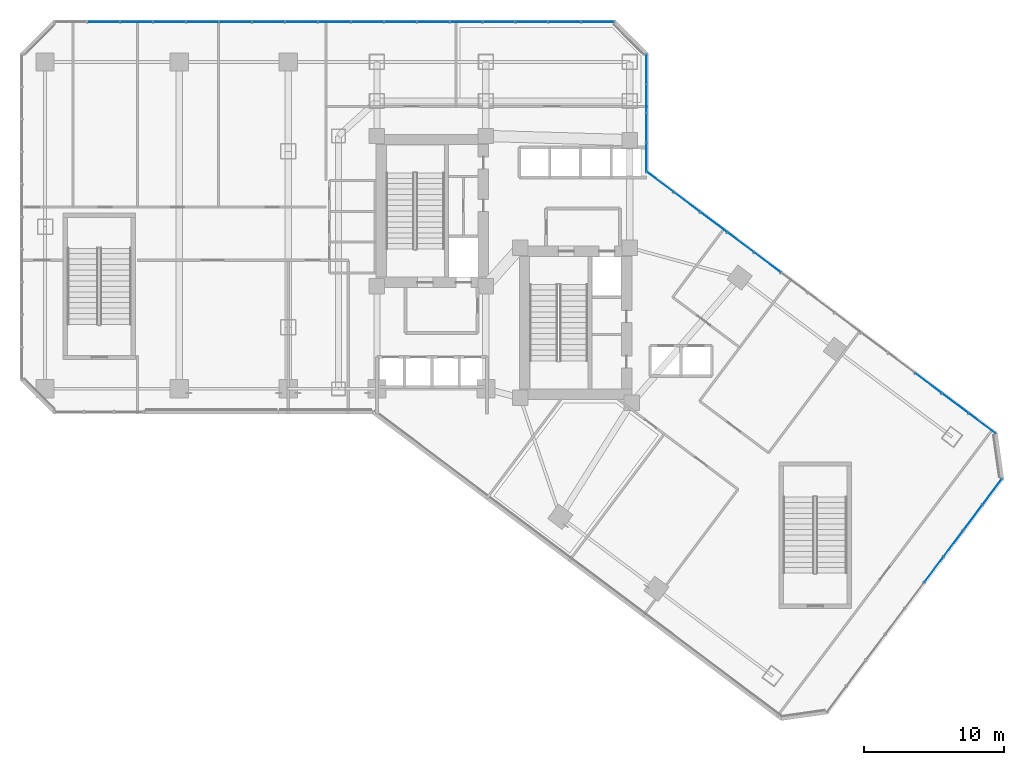
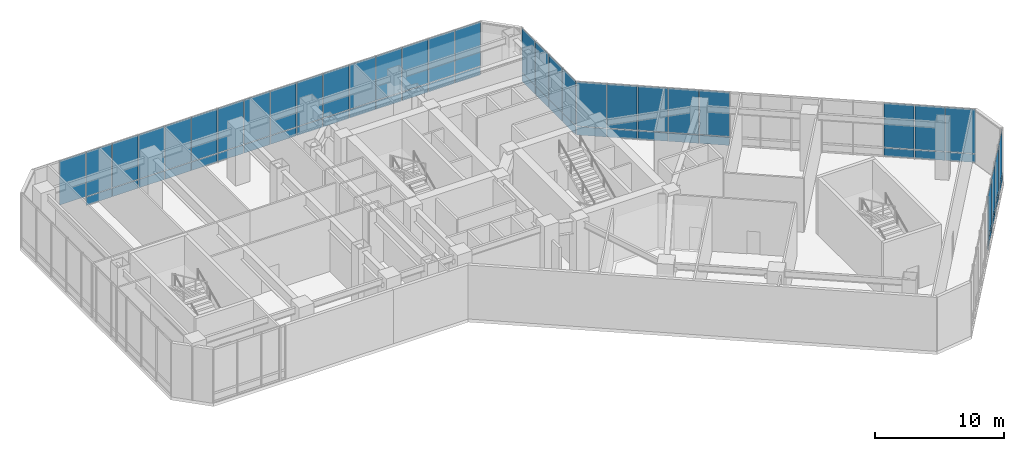
# One storey, part 25 of 35: 63 plates, 4 elements without a shape of their own.
"""IFC4 building model written with IfcOpenShell, lengths in metres."""

from ifc_helpers import new_model, si_unit, direction, frame, origin, origin_2d, place, context, subcontext, project, spatial, rectangle, extrude, material, layer, layer_set, type_object, element, aggregate, save


model = new_model("IFC4")

# Units and contexts
model_context = context("Model", 3, precision=1e-05, world=origin(), true_north=direction((0.0, 1.0)))
body_context = subcontext(model_context, "Body", "Model", "MODEL_VIEW")
ifc_project = project(units=[si_unit("LENGTHUNIT", "METRE"), si_unit("AREAUNIT", "SQUARE_METRE"), si_unit("VOLUMEUNIT", "CUBIC_METRE"), si_unit("PLANEANGLEUNIT", "RADIAN"), si_unit("MASSUNIT", "GRAM", prefix="KILO")], contexts=[model_context])

# Site, building, storey
site_placement = place(None, origin())
site = spatial("IfcSite", under=ifc_project, at=site_placement, CompositionType="ELEMENT")
building_placement = place(site_placement, origin())
building = spatial("IfcBuilding", under=site, at=building_placement, Name="Hatsunagi Terrace Concourse", CompositionType="ELEMENT")
storey_placement = place(building_placement, frame((0.0, 0.0, 16.199951171875)))
storey = spatial("IfcBuildingStorey", under=building, at=storey_placement, Name="L04", CompositionType="ELEMENT", Elevation=16.199951171875)

# Curtain wall, plates
ifc_material_1 = material(Name="Anodised Aluminium Alloy 6063-T5", Category="aluminium")
ifc_layer_1 = layer(ifc_material_1, 0.199951171875)
ifc_layer_set_1 = layer_set([ifc_layer_1], Name="PodiumStorefront_CW01")
curtain_wall_type = type_object("IfcCurtainWallType", Name="PodiumStorefront_CW01", PredefinedType="NOTDEFINED", material=ifc_layer_set_1)
curtain_wall_1_placement = place(storey_placement, origin())
curtain_wall_1 = element("IfcCurtainWall", 1, at=curtain_wall_1_placement, inside=storey, type_object=curtain_wall_type, Name="Unitised Curtain Wall CW-01 CW-L04-01", PredefinedType="NOTDEFINED")
ifc_material_2 = material(Name="Warm Terracotta Ceramic Spandrel Panel", Category="masonry")
ifc_layer_2 = layer(ifc_material_2, 0.031982421875)
ifc_layer_set_2 = layer_set([ifc_layer_2], Name="CurtainWallSpandrelPanel_32")
plate_type_1 = type_object("IfcPlateType", Name="CurtainWallSpandrelPanel_32", PredefinedType="SHEET", material=ifc_layer_set_2)
plate_1_placement = place(storey_placement, frame((45.820068359375, 40.010009765625, 0.030029296875), z_axis=(0.0, 0.0, 1.0), x_axis=(0.800007305671, -0.599990258982, 0.0)))
plate_1 = element("IfcPlate", 2, at=plate_1_placement, type_object=plate_type_1, Name="Terracotta Spandrel Panel SPN-01", PredefinedType="SHEET", context=body_context, shape_type="SweptSolid", body=[
    extrude(rectangle(XDim=2.345947265625, YDim=0.031982421875, at=origin_2d()), origin(), (0.0, 0.0, 1.0), 0.7900390625),
])
plate_2_placement = place(storey_placement, frame((47.740966796875, 38.569091796875, 0.030029296875), z_axis=(0.0, 0.0, 1.0), x_axis=(0.800007305671, -0.599990258982, 0.0)))
plate_2 = element("IfcPlate", 3, at=plate_2_placement, type_object=plate_type_1, Name="Terracotta Spandrel Panel SPN-01", PredefinedType="SHEET", context=body_context, shape_type="SweptSolid", body=[
    extrude(rectangle(XDim=2.345947265625, YDim=0.031982421875, at=origin_2d()), origin(), (0.0, 0.0, 1.0), 0.7900390625),
])
plate_3_placement = place(storey_placement, frame((49.662109375, 37.12890625, 0.030029296875), z_axis=(0.0, 0.0, 1.0), x_axis=(0.800007305671, -0.599990258982, 0.0)))
plate_3 = element("IfcPlate", 4, at=plate_3_placement, type_object=plate_type_1, Name="Terracotta Spandrel Panel SPN-01", PredefinedType="SHEET", context=body_context, shape_type="SweptSolid", body=[
    extrude(rectangle(XDim=2.345947265625, YDim=0.031982421875, at=origin_2d()), origin(), (0.0, 0.0, 1.0), 0.7900390625),
])
plate_4_placement = place(storey_placement, frame((51.5830078125, 35.68798828125, 0.030029296875), z_axis=(0.0, 0.0, 1.0), x_axis=(0.800007305671, -0.599990258982, 0.0)))
plate_4 = element("IfcPlate", 5, at=plate_4_placement, type_object=plate_type_1, Name="Terracotta Spandrel Panel SPN-01", PredefinedType="SHEET", context=body_context, shape_type="SweptSolid", body=[
    extrude(rectangle(XDim=2.345947265625, YDim=0.031982421875, at=origin_2d()), origin(), (0.0, 0.0, 1.0), 0.7900390625),
])
plate_5_placement = place(storey_placement, frame((53.5029296875, 34.248046875, 0.030029296875), z_axis=(0.0, 0.0, 1.0), x_axis=(0.800007305671, -0.599990258982, 0.0)))
plate_5 = element("IfcPlate", 6, at=plate_5_placement, type_object=plate_type_1, Name="Terracotta Spandrel Panel SPN-01", PredefinedType="SHEET", context=body_context, shape_type="SweptSolid", body=[
    extrude(rectangle(XDim=2.345947265625, YDim=0.031982421875, at=origin_2d()), origin(), (0.0, 0.0, 1.0), 0.7900390625),
])
plate_6_placement = place(storey_placement, frame((65.028076171875, 25.60400390625, 0.030029296875), z_axis=(0.0, 0.0, 1.0), x_axis=(0.800007305671, -0.599990258982, 0.0)))
plate_6 = element("IfcPlate", 7, at=plate_6_placement, type_object=plate_type_1, Name="Terracotta Spandrel Panel SPN-01", PredefinedType="SHEET", context=body_context, shape_type="SweptSolid", body=[
    extrude(rectangle(XDim=2.345947265625, YDim=0.031982421875, at=origin_2d()), origin(), (0.0, 0.0, 1.0), 0.7900390625),
])
plate_7_placement = place(storey_placement, frame((66.948974609375, 24.1640625, 0.030029296875), z_axis=(0.0, 0.0, 1.0), x_axis=(0.800007305671, -0.599990258982, 0.0)))
plate_7 = element("IfcPlate", 8, at=plate_7_placement, type_object=plate_type_1, Name="Terracotta Spandrel Panel SPN-01", PredefinedType="SHEET", context=body_context, shape_type="SweptSolid", body=[
    extrude(rectangle(XDim=2.345947265625, YDim=0.031982421875, at=origin_2d()), origin(), (0.0, 0.0, 1.0), 0.7900390625),
])
plate_8_placement = place(storey_placement, frame((68.8701171875, 22.722900390625, 0.030029296875), z_axis=(0.0, 0.0, 1.0), x_axis=(0.800007305671, -0.599990258982, 0.0)))
plate_8 = element("IfcPlate", 9, at=plate_8_placement, type_object=plate_type_1, Name="Terracotta Spandrel Panel SPN-01", PredefinedType="SHEET", context=body_context, shape_type="SweptSolid", body=[
    extrude(rectangle(XDim=2.345947265625, YDim=0.031982421875, at=origin_2d()), origin(), (0.0, 0.0, 1.0), 0.7900390625),
])

curtain_wall_2_placement = place(storey_placement, origin())
curtain_wall_2 = element("IfcCurtainWall", 10, at=curtain_wall_2_placement, inside=storey, type_object=curtain_wall_type, Name="Unitised Curtain Wall CW-01 CW-L04-03", PredefinedType="NOTDEFINED")
plate_9_placement = place(storey_placement, frame((69.596923828125, 17.830078125, 0.030029296875), z_axis=(0.0, 0.0, 1.0), x_axis=(-0.599969314634, -0.800023013105, 0.0)))
plate_9 = element("IfcPlate", 11, at=plate_9_placement, type_object=plate_type_1, Name="Terracotta Spandrel Panel SPN-01", PredefinedType="SHEET", context=body_context, shape_type="SweptSolid", body=[
    extrude(rectangle(XDim=2.264892578125, YDim=0.031982421875, at=origin_2d()), origin(), (0.0, 0.0, 1.0), 0.7900390625),
])
plate_10_placement = place(storey_placement, frame((68.205078125, 15.972900390625, 0.030029296875), z_axis=(0.0, 0.0, 1.0), x_axis=(-0.599969314634, -0.800023013105, 0.0)))
plate_10 = element("IfcPlate", 12, at=plate_10_placement, type_object=plate_type_1, Name="Terracotta Spandrel Panel SPN-01", PredefinedType="SHEET", context=body_context, shape_type="SweptSolid", body=[
    extrude(rectangle(XDim=2.264892578125, YDim=0.031982421875, at=origin_2d()), origin(), (0.0, 0.0, 1.0), 0.7900390625),
])
plate_11_placement = place(storey_placement, frame((66.81201171875, 14.116943359375, 0.030029296875), z_axis=(0.0, 0.0, 1.0), x_axis=(-0.599969314634, -0.800023013105, 0.0)))
plate_11 = element("IfcPlate", 13, at=plate_11_placement, type_object=plate_type_1, Name="Terracotta Spandrel Panel SPN-01", PredefinedType="SHEET", context=body_context, shape_type="SweptSolid", body=[
    extrude(rectangle(XDim=2.264892578125, YDim=0.031982421875, at=origin_2d()), origin(), (0.0, 0.0, 1.0), 0.7900390625),
])
plate_12_placement = place(storey_placement, frame((65.419921875, 12.260009765625, 0.030029296875), z_axis=(0.0, 0.0, 1.0), x_axis=(-0.599969314634, -0.800023013105, 0.0)))
plate_12 = element("IfcPlate", 14, at=plate_12_placement, type_object=plate_type_1, Name="Terracotta Spandrel Panel SPN-01", PredefinedType="SHEET", context=body_context, shape_type="SweptSolid", body=[
    extrude(rectangle(XDim=2.264892578125, YDim=0.031982421875, at=origin_2d()), origin(), (0.0, 0.0, 1.0), 0.7900390625),
])

curtain_wall_3_placement = place(storey_placement, origin())
curtain_wall_3 = element("IfcCurtainWall", 15, at=curtain_wall_3_placement, inside=storey, type_object=curtain_wall_type, Name="Unitised Curtain Wall CW-01 CW-L04-12", PredefinedType="NOTDEFINED")
plate_13_placement = place(storey_placement, frame((8.35302734375, 51.4599609375, 0.030029296875), z_axis=(0.0, 0.0, 1.0), x_axis=(1.0, 0.0, 0.0)))
plate_13 = element("IfcPlate", 16, at=plate_13_placement, type_object=plate_type_1, Name="Terracotta Spandrel Panel SPN-01", PredefinedType="SHEET", context=body_context, shape_type="SweptSolid", body=[
    extrude(rectangle(XDim=2.302978515625, YDim=0.031982421875, at=origin_2d()), origin(), (0.0, 0.0, 1.0), 0.7900390625),
])
plate_14_placement = place(storey_placement, frame((10.7109375, 51.4599609375, 0.030029296875), z_axis=(0.0, 0.0, 1.0), x_axis=(1.0, 0.0, 0.0)))
plate_14 = element("IfcPlate", 17, at=plate_14_placement, type_object=plate_type_1, Name="Terracotta Spandrel Panel SPN-01", PredefinedType="SHEET", context=body_context, shape_type="SweptSolid", body=[
    extrude(rectangle(XDim=2.302978515625, YDim=0.031982421875, at=origin_2d()), origin(), (0.0, 0.0, 1.0), 0.7900390625),
])
plate_15_placement = place(storey_placement, frame((13.068115234375, 51.4599609375, 0.030029296875), z_axis=(0.0, 0.0, 1.0), x_axis=(1.0, 0.0, 0.0)))
plate_15 = element("IfcPlate", 18, at=plate_15_placement, type_object=plate_type_1, Name="Terracotta Spandrel Panel SPN-01", PredefinedType="SHEET", context=body_context, shape_type="SweptSolid", body=[
    extrude(rectangle(XDim=2.302978515625, YDim=0.031982421875, at=origin_2d()), origin(), (0.0, 0.0, 1.0), 0.7900390625),
])
plate_16_placement = place(storey_placement, frame((15.426025390625, 51.4599609375, 0.030029296875), z_axis=(0.0, 0.0, 1.0), x_axis=(1.0, 0.0, 0.0)))
plate_16 = element("IfcPlate", 19, at=plate_16_placement, type_object=plate_type_1, Name="Terracotta Spandrel Panel SPN-01", PredefinedType="SHEET", context=body_context, shape_type="SweptSolid", body=[
    extrude(rectangle(XDim=2.302978515625, YDim=0.031982421875, at=origin_2d()), origin(), (0.0, 0.0, 1.0), 0.7900390625),
])
plate_17_placement = place(storey_placement, frame((17.783935546875, 51.4599609375, 0.030029296875), z_axis=(0.0, 0.0, 1.0), x_axis=(1.0, 0.0, 0.0)))
plate_17 = element("IfcPlate", 20, at=plate_17_placement, type_object=plate_type_1, Name="Terracotta Spandrel Panel SPN-01", PredefinedType="SHEET", context=body_context, shape_type="SweptSolid", body=[
    extrude(rectangle(XDim=2.302978515625, YDim=0.031982421875, at=origin_2d()), origin(), (0.0, 0.0, 1.0), 0.7900390625),
])
plate_18_placement = place(storey_placement, frame((20.14208984375, 51.4599609375, 0.030029296875), z_axis=(0.0, 0.0, 1.0), x_axis=(1.0, 0.0, 0.0)))
plate_18 = element("IfcPlate", 21, at=plate_18_placement, type_object=plate_type_1, Name="Terracotta Spandrel Panel SPN-01", PredefinedType="SHEET", context=body_context, shape_type="SweptSolid", body=[
    extrude(rectangle(XDim=2.302978515625, YDim=0.031982421875, at=origin_2d()), origin(), (0.0, 0.0, 1.0), 0.7900390625),
])
plate_19_placement = place(storey_placement, frame((22.5, 51.4599609375, 0.030029296875), z_axis=(0.0, 0.0, 1.0), x_axis=(1.0, 0.0, 0.0)))
plate_19 = element("IfcPlate", 22, at=plate_19_placement, type_object=plate_type_1, Name="Terracotta Spandrel Panel SPN-01", PredefinedType="SHEET", context=body_context, shape_type="SweptSolid", body=[
    extrude(rectangle(XDim=2.302978515625, YDim=0.031982421875, at=origin_2d()), origin(), (0.0, 0.0, 1.0), 0.7900390625),
])
plate_20_placement = place(storey_placement, frame((24.85791015625, 51.4599609375, 0.030029296875), z_axis=(0.0, 0.0, 1.0), x_axis=(1.0, 0.0, 0.0)))
plate_20 = element("IfcPlate", 23, at=plate_20_placement, type_object=plate_type_1, Name="Terracotta Spandrel Panel SPN-01", PredefinedType="SHEET", context=body_context, shape_type="SweptSolid", body=[
    extrude(rectangle(XDim=2.302978515625, YDim=0.031982421875, at=origin_2d()), origin(), (0.0, 0.0, 1.0), 0.7900390625),
])
plate_21_placement = place(storey_placement, frame((27.216064453125, 51.4599609375, 0.030029296875), z_axis=(0.0, 0.0, 1.0), x_axis=(1.0, 0.0, 0.0)))
plate_21 = element("IfcPlate", 24, at=plate_21_placement, type_object=plate_type_1, Name="Terracotta Spandrel Panel SPN-01", PredefinedType="SHEET", context=body_context, shape_type="SweptSolid", body=[
    extrude(rectangle(XDim=2.302978515625, YDim=0.031982421875, at=origin_2d()), origin(), (0.0, 0.0, 1.0), 0.7900390625),
])
plate_22_placement = place(storey_placement, frame((29.573974609375, 51.4599609375, 0.030029296875), z_axis=(0.0, 0.0, 1.0), x_axis=(1.0, 0.0, 0.0)))
plate_22 = element("IfcPlate", 25, at=plate_22_placement, type_object=plate_type_1, Name="Terracotta Spandrel Panel SPN-01", PredefinedType="SHEET", context=body_context, shape_type="SweptSolid", body=[
    extrude(rectangle(XDim=2.302978515625, YDim=0.031982421875, at=origin_2d()), origin(), (0.0, 0.0, 1.0), 0.7900390625),
])
plate_23_placement = place(storey_placement, frame((31.931884765625, 51.4599609375, 0.030029296875), z_axis=(0.0, 0.0, 1.0), x_axis=(1.0, 0.0, 0.0)))
plate_23 = element("IfcPlate", 26, at=plate_23_placement, type_object=plate_type_1, Name="Terracotta Spandrel Panel SPN-01", PredefinedType="SHEET", context=body_context, shape_type="SweptSolid", body=[
    extrude(rectangle(XDim=2.302978515625, YDim=0.031982421875, at=origin_2d()), origin(), (0.0, 0.0, 1.0), 0.7900390625),
])
plate_24_placement = place(storey_placement, frame((34.2890625, 51.4599609375, 0.030029296875), z_axis=(0.0, 0.0, 1.0), x_axis=(1.0, 0.0, 0.0)))
plate_24 = element("IfcPlate", 27, at=plate_24_placement, type_object=plate_type_1, Name="Terracotta Spandrel Panel SPN-01", PredefinedType="SHEET", context=body_context, shape_type="SweptSolid", body=[
    extrude(rectangle(XDim=2.302978515625, YDim=0.031982421875, at=origin_2d()), origin(), (0.0, 0.0, 1.0), 0.7900390625),
])
plate_25_placement = place(storey_placement, frame((36.64697265625, 51.4599609375, 0.030029296875), z_axis=(0.0, 0.0, 1.0), x_axis=(1.0, 0.0, 0.0)))
plate_25 = element("IfcPlate", 28, at=plate_25_placement, type_object=plate_type_1, Name="Terracotta Spandrel Panel SPN-01", PredefinedType="SHEET", context=body_context, shape_type="SweptSolid", body=[
    extrude(rectangle(XDim=2.302978515625, YDim=0.031982421875, at=origin_2d()), origin(), (0.0, 0.0, 1.0), 0.7900390625),
])
plate_26_placement = place(storey_placement, frame((39.0048828125, 51.4599609375, 0.030029296875), z_axis=(0.0, 0.0, 1.0), x_axis=(1.0, 0.0, 0.0)))
plate_26 = element("IfcPlate", 29, at=plate_26_placement, type_object=plate_type_1, Name="Terracotta Spandrel Panel SPN-01", PredefinedType="SHEET", context=body_context, shape_type="SweptSolid", body=[
    extrude(rectangle(XDim=2.302978515625, YDim=0.031982421875, at=origin_2d()), origin(), (0.0, 0.0, 1.0), 0.7900390625),
])
plate_27_placement = place(storey_placement, frame((41.363037109375, 51.4599609375, 0.030029296875), z_axis=(0.0, 0.0, 1.0), x_axis=(1.0, 0.0, 0.0)))
plate_27 = element("IfcPlate", 30, at=plate_27_placement, type_object=plate_type_1, Name="Terracotta Spandrel Panel SPN-01", PredefinedType="SHEET", context=body_context, shape_type="SweptSolid", body=[
    extrude(rectangle(XDim=2.302978515625, YDim=0.031982421875, at=origin_2d()), origin(), (0.0, 0.0, 1.0), 0.7900390625),
])

curtain_wall_4_placement = place(storey_placement, origin())
curtain_wall_4 = element("IfcCurtainWall", 31, at=curtain_wall_4_placement, inside=storey, type_object=curtain_wall_type, Name="Unitised Curtain Wall CW-01 CW-L04-14", PredefinedType="NOTDEFINED")
plate_28_placement = place(storey_placement, frame((44.860107421875, 48.091064453125, 0.030029296875), z_axis=(0.0, 0.0, 1.0), x_axis=(0.0, -1.0, 0.0)))
plate_28 = element("IfcPlate", 32, at=plate_28_placement, type_object=plate_type_1, Name="Terracotta Spandrel Panel SPN-01", PredefinedType="SHEET", context=body_context, shape_type="SweptSolid", body=[
    extrude(rectangle(XDim=2.048095703125, YDim=0.031982421875, at=origin_2d()), origin(), (0.0, 0.0, 1.0), 0.7900390625),
])
plate_29_placement = place(storey_placement, frame((44.860107421875, 45.987060546875, 0.030029296875), z_axis=(0.0, 0.0, 1.0), x_axis=(0.0, -1.0, 0.0)))
plate_29 = element("IfcPlate", 33, at=plate_29_placement, type_object=plate_type_1, Name="Terracotta Spandrel Panel SPN-01", PredefinedType="SHEET", context=body_context, shape_type="SweptSolid", body=[
    extrude(rectangle(XDim=2.048095703125, YDim=0.031982421875, at=origin_2d()), origin(), (0.0, 0.0, 1.0), 0.7900390625),
])
plate_30_placement = place(storey_placement, frame((44.860107421875, 43.885009765625, 0.030029296875), z_axis=(0.0, 0.0, 1.0), x_axis=(0.0, -1.0, 0.0)))
plate_30 = element("IfcPlate", 34, at=plate_30_placement, type_object=plate_type_1, Name="Terracotta Spandrel Panel SPN-01", PredefinedType="SHEET", context=body_context, shape_type="SweptSolid", body=[
    extrude(rectangle(XDim=2.048095703125, YDim=0.031982421875, at=origin_2d()), origin(), (0.0, 0.0, 1.0), 0.7900390625),
])
plate_31_placement = place(storey_placement, frame((44.860107421875, 41.781005859375, 0.030029296875), z_axis=(0.0, 0.0, 1.0), x_axis=(0.0, -1.0, 0.0)))
plate_31 = element("IfcPlate", 35, at=plate_31_placement, type_object=plate_type_1, Name="Terracotta Spandrel Panel SPN-01", PredefinedType="SHEET", context=body_context, shape_type="SweptSolid", body=[
    extrude(rectangle(XDim=2.048095703125, YDim=0.031982421875, at=origin_2d()), origin(), (0.0, 0.0, 1.0), 0.7900390625),
])

# Plate
ifc_material_3 = material(Name="Low-E Double Insulating Glass 28mm", Category="glass")
ifc_layer_3 = layer(ifc_material_3, 0.028076171875)
ifc_layer_set_3 = layer_set([ifc_layer_3], Name="CurtainWallVisionGlass_28")
plate_type_2 = type_object("IfcPlateType", Name="CurtainWallVisionGlass_28", PredefinedType="CURTAIN_PANEL", material=ifc_layer_set_3)
plate_32_placement = place(storey_placement, frame((45.820068359375, 40.010009765625, 0.880126953125), z_axis=(0.0, 0.0, 1.0), x_axis=(0.800007305671, -0.599990258982, 0.0)))
plate_32 = element("IfcPlate", 36, at=plate_32_placement, type_object=plate_type_2, Name="Low-E Vision Glass Panel GLZ-01", PredefinedType="CURTAIN_PANEL", context=body_context, shape_type="SweptSolid", body=[
    extrude(rectangle(XDim=2.345947265625, YDim=0.028076171875, at=origin_2d()), origin(), (0.0, 0.0, 1.0), 4.18994140625),
])

plate_33_placement = place(storey_placement, frame((47.740966796875, 38.569091796875, 0.880126953125), z_axis=(0.0, 0.0, 1.0), x_axis=(0.800007305671, -0.599990258982, 0.0)))
plate_33 = element("IfcPlate", 37, at=plate_33_placement, type_object=plate_type_2, Name="Low-E Vision Glass Panel GLZ-01", PredefinedType="CURTAIN_PANEL", context=body_context, shape_type="SweptSolid", body=[
    extrude(rectangle(XDim=2.345947265625, YDim=0.028076171875, at=origin_2d()), origin(), (0.0, 0.0, 1.0), 4.18994140625),
])

plate_34_placement = place(storey_placement, frame((49.662109375, 37.12890625, 0.880126953125), z_axis=(0.0, 0.0, 1.0), x_axis=(0.800007305671, -0.599990258982, 0.0)))
plate_34 = element("IfcPlate", 38, at=plate_34_placement, type_object=plate_type_2, Name="Low-E Vision Glass Panel GLZ-01", PredefinedType="CURTAIN_PANEL", context=body_context, shape_type="SweptSolid", body=[
    extrude(rectangle(XDim=2.345947265625, YDim=0.028076171875, at=origin_2d()), origin(), (0.0, 0.0, 1.0), 4.18994140625),
])

plate_35_placement = place(storey_placement, frame((51.5830078125, 35.68798828125, 0.880126953125), z_axis=(0.0, 0.0, 1.0), x_axis=(0.800007305671, -0.599990258982, 0.0)))
plate_35 = element("IfcPlate", 39, at=plate_35_placement, type_object=plate_type_2, Name="Low-E Vision Glass Panel GLZ-01", PredefinedType="CURTAIN_PANEL", context=body_context, shape_type="SweptSolid", body=[
    extrude(rectangle(XDim=2.345947265625, YDim=0.028076171875, at=origin_2d()), origin(), (0.0, 0.0, 1.0), 4.18994140625),
])

plate_36_placement = place(storey_placement, frame((53.5029296875, 34.248046875, 0.880126953125), z_axis=(0.0, 0.0, 1.0), x_axis=(0.800007305671, -0.599990258982, 0.0)))
plate_36 = element("IfcPlate", 40, at=plate_36_placement, type_object=plate_type_2, Name="Low-E Vision Glass Panel GLZ-01", PredefinedType="CURTAIN_PANEL", context=body_context, shape_type="SweptSolid", body=[
    extrude(rectangle(XDim=2.345947265625, YDim=0.028076171875, at=origin_2d()), origin(), (0.0, 0.0, 1.0), 4.18994140625),
])

plate_37_placement = place(storey_placement, frame((65.028076171875, 25.60400390625, 0.880126953125), z_axis=(0.0, 0.0, 1.0), x_axis=(0.800007305671, -0.599990258982, 0.0)))
plate_37 = element("IfcPlate", 41, at=plate_37_placement, type_object=plate_type_2, Name="Low-E Vision Glass Panel GLZ-01", PredefinedType="CURTAIN_PANEL", context=body_context, shape_type="SweptSolid", body=[
    extrude(rectangle(XDim=2.345947265625, YDim=0.028076171875, at=origin_2d()), origin(), (0.0, 0.0, 1.0), 4.18994140625),
])

plate_38_placement = place(storey_placement, frame((66.948974609375, 24.1640625, 0.880126953125), z_axis=(0.0, 0.0, 1.0), x_axis=(0.800007305671, -0.599990258982, 0.0)))
plate_38 = element("IfcPlate", 42, at=plate_38_placement, type_object=plate_type_2, Name="Low-E Vision Glass Panel GLZ-01", PredefinedType="CURTAIN_PANEL", context=body_context, shape_type="SweptSolid", body=[
    extrude(rectangle(XDim=2.345947265625, YDim=0.028076171875, at=origin_2d()), origin(), (0.0, 0.0, 1.0), 4.18994140625),
])

plate_39_placement = place(storey_placement, frame((68.8701171875, 22.722900390625, 0.880126953125), z_axis=(0.0, 0.0, 1.0), x_axis=(0.800007305671, -0.599990258982, 0.0)))
plate_39 = element("IfcPlate", 43, at=plate_39_placement, type_object=plate_type_2, Name="Low-E Vision Glass Panel GLZ-01", PredefinedType="CURTAIN_PANEL", context=body_context, shape_type="SweptSolid", body=[
    extrude(rectangle(XDim=2.345947265625, YDim=0.028076171875, at=origin_2d()), origin(), (0.0, 0.0, 1.0), 4.18994140625),
])

aggregate(curtain_wall_1, [plate_1, plate_32, plate_2, plate_33, plate_3, plate_34, plate_4, plate_35, plate_5, plate_36, plate_6, plate_37, plate_7, plate_38, plate_8, plate_39])

plate_40_placement = place(storey_placement, frame((69.596923828125, 17.830078125, 0.880126953125), z_axis=(0.0, 0.0, 1.0), x_axis=(-0.599969314634, -0.800023013105, 0.0)))
plate_40 = element("IfcPlate", 44, at=plate_40_placement, type_object=plate_type_2, Name="Low-E Vision Glass Panel GLZ-01", PredefinedType="CURTAIN_PANEL", context=body_context, shape_type="SweptSolid", body=[
    extrude(rectangle(XDim=2.264892578125, YDim=0.028076171875, at=origin_2d()), origin(), (0.0, 0.0, 1.0), 4.18994140625),
])

plate_41_placement = place(storey_placement, frame((68.205078125, 15.972900390625, 0.880126953125), z_axis=(0.0, 0.0, 1.0), x_axis=(-0.599969314634, -0.800023013105, 0.0)))
plate_41 = element("IfcPlate", 45, at=plate_41_placement, type_object=plate_type_2, Name="Low-E Vision Glass Panel GLZ-01", PredefinedType="CURTAIN_PANEL", context=body_context, shape_type="SweptSolid", body=[
    extrude(rectangle(XDim=2.264892578125, YDim=0.028076171875, at=origin_2d()), origin(), (0.0, 0.0, 1.0), 4.18994140625),
])

plate_42_placement = place(storey_placement, frame((66.81201171875, 14.116943359375, 0.880126953125), z_axis=(0.0, 0.0, 1.0), x_axis=(-0.599969314634, -0.800023013105, 0.0)))
plate_42 = element("IfcPlate", 46, at=plate_42_placement, type_object=plate_type_2, Name="Low-E Vision Glass Panel GLZ-01", PredefinedType="CURTAIN_PANEL", context=body_context, shape_type="SweptSolid", body=[
    extrude(rectangle(XDim=2.264892578125, YDim=0.028076171875, at=origin_2d()), origin(), (0.0, 0.0, 1.0), 4.18994140625),
])

plate_43_placement = place(storey_placement, frame((65.419921875, 12.260009765625, 0.880126953125), z_axis=(0.0, 0.0, 1.0), x_axis=(-0.599969314634, -0.800023013105, 0.0)))
plate_43 = element("IfcPlate", 47, at=plate_43_placement, type_object=plate_type_2, Name="Low-E Vision Glass Panel GLZ-01", PredefinedType="CURTAIN_PANEL", context=body_context, shape_type="SweptSolid", body=[
    extrude(rectangle(XDim=2.264892578125, YDim=0.028076171875, at=origin_2d()), origin(), (0.0, 0.0, 1.0), 4.18994140625),
])

aggregate(curtain_wall_2, [plate_9, plate_40, plate_10, plate_41, plate_11, plate_42, plate_12, plate_43])

plate_44_placement = place(storey_placement, frame((5.9951171875, 51.4599609375, 0.880126953125), z_axis=(0.0, 0.0, 1.0), x_axis=(1.0, 0.0, 0.0)))
plate_44 = element("IfcPlate", 48, at=plate_44_placement, type_object=plate_type_2, Name="Low-E Vision Glass Panel GLZ-01", PredefinedType="CURTAIN_PANEL", context=body_context, shape_type="SweptSolid", body=[
    extrude(rectangle(XDim=2.302978515625, YDim=0.028076171875, at=origin_2d()), origin(), (0.0, 0.0, 1.0), 4.18994140625),
])

plate_45_placement = place(storey_placement, frame((8.35302734375, 51.4599609375, 0.880126953125), z_axis=(0.0, 0.0, 1.0), x_axis=(1.0, 0.0, 0.0)))
plate_45 = element("IfcPlate", 49, at=plate_45_placement, type_object=plate_type_2, Name="Low-E Vision Glass Panel GLZ-01", PredefinedType="CURTAIN_PANEL", context=body_context, shape_type="SweptSolid", body=[
    extrude(rectangle(XDim=2.302978515625, YDim=0.028076171875, at=origin_2d()), origin(), (0.0, 0.0, 1.0), 4.18994140625),
])

plate_46_placement = place(storey_placement, frame((10.7109375, 51.4599609375, 0.880126953125), z_axis=(0.0, 0.0, 1.0), x_axis=(1.0, 0.0, 0.0)))
plate_46 = element("IfcPlate", 50, at=plate_46_placement, type_object=plate_type_2, Name="Low-E Vision Glass Panel GLZ-01", PredefinedType="CURTAIN_PANEL", context=body_context, shape_type="SweptSolid", body=[
    extrude(rectangle(XDim=2.302978515625, YDim=0.028076171875, at=origin_2d()), origin(), (0.0, 0.0, 1.0), 4.18994140625),
])

plate_47_placement = place(storey_placement, frame((13.068115234375, 51.4599609375, 0.880126953125), z_axis=(0.0, 0.0, 1.0), x_axis=(1.0, 0.0, 0.0)))
plate_47 = element("IfcPlate", 51, at=plate_47_placement, type_object=plate_type_2, Name="Low-E Vision Glass Panel GLZ-01", PredefinedType="CURTAIN_PANEL", context=body_context, shape_type="SweptSolid", body=[
    extrude(rectangle(XDim=2.302978515625, YDim=0.028076171875, at=origin_2d()), origin(), (0.0, 0.0, 1.0), 4.18994140625),
])

plate_48_placement = place(storey_placement, frame((15.426025390625, 51.4599609375, 0.880126953125), z_axis=(0.0, 0.0, 1.0), x_axis=(1.0, 0.0, 0.0)))
plate_48 = element("IfcPlate", 52, at=plate_48_placement, type_object=plate_type_2, Name="Low-E Vision Glass Panel GLZ-01", PredefinedType="CURTAIN_PANEL", context=body_context, shape_type="SweptSolid", body=[
    extrude(rectangle(XDim=2.302978515625, YDim=0.028076171875, at=origin_2d()), origin(), (0.0, 0.0, 1.0), 4.18994140625),
])

plate_49_placement = place(storey_placement, frame((17.783935546875, 51.4599609375, 0.880126953125), z_axis=(0.0, 0.0, 1.0), x_axis=(1.0, 0.0, 0.0)))
plate_49 = element("IfcPlate", 53, at=plate_49_placement, type_object=plate_type_2, Name="Low-E Vision Glass Panel GLZ-01", PredefinedType="CURTAIN_PANEL", context=body_context, shape_type="SweptSolid", body=[
    extrude(rectangle(XDim=2.302978515625, YDim=0.028076171875, at=origin_2d()), origin(), (0.0, 0.0, 1.0), 4.18994140625),
])

plate_50_placement = place(storey_placement, frame((20.14208984375, 51.4599609375, 0.880126953125), z_axis=(0.0, 0.0, 1.0), x_axis=(1.0, 0.0, 0.0)))
plate_50 = element("IfcPlate", 54, at=plate_50_placement, type_object=plate_type_2, Name="Low-E Vision Glass Panel GLZ-01", PredefinedType="CURTAIN_PANEL", context=body_context, shape_type="SweptSolid", body=[
    extrude(rectangle(XDim=2.302978515625, YDim=0.028076171875, at=origin_2d()), origin(), (0.0, 0.0, 1.0), 4.18994140625),
])

plate_51_placement = place(storey_placement, frame((22.5, 51.4599609375, 0.880126953125), z_axis=(0.0, 0.0, 1.0), x_axis=(1.0, 0.0, 0.0)))
plate_51 = element("IfcPlate", 55, at=plate_51_placement, type_object=plate_type_2, Name="Low-E Vision Glass Panel GLZ-01", PredefinedType="CURTAIN_PANEL", context=body_context, shape_type="SweptSolid", body=[
    extrude(rectangle(XDim=2.302978515625, YDim=0.028076171875, at=origin_2d()), origin(), (0.0, 0.0, 1.0), 4.18994140625),
])

plate_52_placement = place(storey_placement, frame((24.85791015625, 51.4599609375, 0.880126953125), z_axis=(0.0, 0.0, 1.0), x_axis=(1.0, 0.0, 0.0)))
plate_52 = element("IfcPlate", 56, at=plate_52_placement, type_object=plate_type_2, Name="Low-E Vision Glass Panel GLZ-01", PredefinedType="CURTAIN_PANEL", context=body_context, shape_type="SweptSolid", body=[
    extrude(rectangle(XDim=2.302978515625, YDim=0.028076171875, at=origin_2d()), origin(), (0.0, 0.0, 1.0), 4.18994140625),
])

plate_53_placement = place(storey_placement, frame((27.216064453125, 51.4599609375, 0.880126953125), z_axis=(0.0, 0.0, 1.0), x_axis=(1.0, 0.0, 0.0)))
plate_53 = element("IfcPlate", 57, at=plate_53_placement, type_object=plate_type_2, Name="Low-E Vision Glass Panel GLZ-01", PredefinedType="CURTAIN_PANEL", context=body_context, shape_type="SweptSolid", body=[
    extrude(rectangle(XDim=2.302978515625, YDim=0.028076171875, at=origin_2d()), origin(), (0.0, 0.0, 1.0), 4.18994140625),
])

plate_54_placement = place(storey_placement, frame((29.573974609375, 51.4599609375, 0.880126953125), z_axis=(0.0, 0.0, 1.0), x_axis=(1.0, 0.0, 0.0)))
plate_54 = element("IfcPlate", 58, at=plate_54_placement, type_object=plate_type_2, Name="Low-E Vision Glass Panel GLZ-01", PredefinedType="CURTAIN_PANEL", context=body_context, shape_type="SweptSolid", body=[
    extrude(rectangle(XDim=2.302978515625, YDim=0.028076171875, at=origin_2d()), origin(), (0.0, 0.0, 1.0), 4.18994140625),
])

plate_55_placement = place(storey_placement, frame((31.931884765625, 51.4599609375, 0.880126953125), z_axis=(0.0, 0.0, 1.0), x_axis=(1.0, 0.0, 0.0)))
plate_55 = element("IfcPlate", 59, at=plate_55_placement, type_object=plate_type_2, Name="Low-E Vision Glass Panel GLZ-01", PredefinedType="CURTAIN_PANEL", context=body_context, shape_type="SweptSolid", body=[
    extrude(rectangle(XDim=2.302978515625, YDim=0.028076171875, at=origin_2d()), origin(), (0.0, 0.0, 1.0), 4.18994140625),
])

plate_56_placement = place(storey_placement, frame((34.2890625, 51.4599609375, 0.880126953125), z_axis=(0.0, 0.0, 1.0), x_axis=(1.0, 0.0, 0.0)))
plate_56 = element("IfcPlate", 60, at=plate_56_placement, type_object=plate_type_2, Name="Low-E Vision Glass Panel GLZ-01", PredefinedType="CURTAIN_PANEL", context=body_context, shape_type="SweptSolid", body=[
    extrude(rectangle(XDim=2.302978515625, YDim=0.028076171875, at=origin_2d()), origin(), (0.0, 0.0, 1.0), 4.18994140625),
])

plate_57_placement = place(storey_placement, frame((36.64697265625, 51.4599609375, 0.880126953125), z_axis=(0.0, 0.0, 1.0), x_axis=(1.0, 0.0, 0.0)))
plate_57 = element("IfcPlate", 61, at=plate_57_placement, type_object=plate_type_2, Name="Low-E Vision Glass Panel GLZ-01", PredefinedType="CURTAIN_PANEL", context=body_context, shape_type="SweptSolid", body=[
    extrude(rectangle(XDim=2.302978515625, YDim=0.028076171875, at=origin_2d()), origin(), (0.0, 0.0, 1.0), 4.18994140625),
])

plate_58_placement = place(storey_placement, frame((39.0048828125, 51.4599609375, 0.880126953125), z_axis=(0.0, 0.0, 1.0), x_axis=(1.0, 0.0, 0.0)))
plate_58 = element("IfcPlate", 62, at=plate_58_placement, type_object=plate_type_2, Name="Low-E Vision Glass Panel GLZ-01", PredefinedType="CURTAIN_PANEL", context=body_context, shape_type="SweptSolid", body=[
    extrude(rectangle(XDim=2.302978515625, YDim=0.028076171875, at=origin_2d()), origin(), (0.0, 0.0, 1.0), 4.18994140625),
])

plate_59_placement = place(storey_placement, frame((41.363037109375, 51.4599609375, 0.880126953125), z_axis=(0.0, 0.0, 1.0), x_axis=(1.0, 0.0, 0.0)))
plate_59 = element("IfcPlate", 63, at=plate_59_placement, type_object=plate_type_2, Name="Low-E Vision Glass Panel GLZ-01", PredefinedType="CURTAIN_PANEL", context=body_context, shape_type="SweptSolid", body=[
    extrude(rectangle(XDim=2.302978515625, YDim=0.028076171875, at=origin_2d()), origin(), (0.0, 0.0, 1.0), 4.18994140625),
])

aggregate(curtain_wall_3, [plate_44, plate_13, plate_45, plate_14, plate_46, plate_15, plate_47, plate_16, plate_48, plate_17, plate_49, plate_18, plate_50, plate_19, plate_51, plate_20, plate_52, plate_21, plate_53, plate_22, plate_54, plate_23, plate_55, plate_24, plate_56, plate_25, plate_57, plate_26, plate_58, plate_27, plate_59])

plate_60_placement = place(storey_placement, frame((44.860107421875, 48.091064453125, 0.880126953125), z_axis=(0.0, 0.0, 1.0), x_axis=(0.0, -1.0, 0.0)))
plate_60 = element("IfcPlate", 64, at=plate_60_placement, type_object=plate_type_2, Name="Low-E Vision Glass Panel GLZ-01", PredefinedType="CURTAIN_PANEL", context=body_context, shape_type="SweptSolid", body=[
    extrude(rectangle(XDim=2.048095703125, YDim=0.028076171875, at=origin_2d()), origin(), (0.0, 0.0, 1.0), 4.18994140625),
])

plate_61_placement = place(storey_placement, frame((44.860107421875, 45.987060546875, 0.880126953125), z_axis=(0.0, 0.0, 1.0), x_axis=(0.0, -1.0, 0.0)))
plate_61 = element("IfcPlate", 65, at=plate_61_placement, type_object=plate_type_2, Name="Low-E Vision Glass Panel GLZ-01", PredefinedType="CURTAIN_PANEL", context=body_context, shape_type="SweptSolid", body=[
    extrude(rectangle(XDim=2.048095703125, YDim=0.028076171875, at=origin_2d()), origin(), (0.0, 0.0, 1.0), 4.18994140625),
])

plate_62_placement = place(storey_placement, frame((44.860107421875, 43.885009765625, 0.880126953125), z_axis=(0.0, 0.0, 1.0), x_axis=(0.0, -1.0, 0.0)))
plate_62 = element("IfcPlate", 66, at=plate_62_placement, type_object=plate_type_2, Name="Low-E Vision Glass Panel GLZ-01", PredefinedType="CURTAIN_PANEL", context=body_context, shape_type="SweptSolid", body=[
    extrude(rectangle(XDim=2.048095703125, YDim=0.028076171875, at=origin_2d()), origin(), (0.0, 0.0, 1.0), 4.18994140625),
])

plate_63_placement = place(storey_placement, frame((44.860107421875, 41.781005859375, 0.880126953125), z_axis=(0.0, 0.0, 1.0), x_axis=(0.0, -1.0, 0.0)))
plate_63 = element("IfcPlate", 67, at=plate_63_placement, type_object=plate_type_2, Name="Low-E Vision Glass Panel GLZ-01", PredefinedType="CURTAIN_PANEL", context=body_context, shape_type="SweptSolid", body=[
    extrude(rectangle(XDim=2.048095703125, YDim=0.028076171875, at=origin_2d()), origin(), (0.0, 0.0, 1.0), 4.18994140625),
])

aggregate(curtain_wall_4, [plate_28, plate_60, plate_29, plate_61, plate_30, plate_62, plate_31, plate_63])

save(model, "model.ifc")
